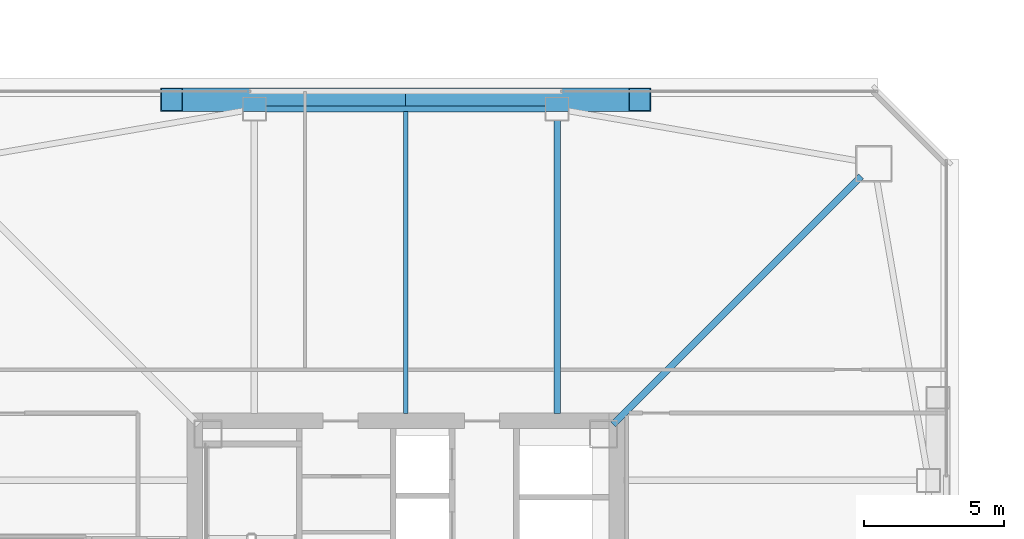
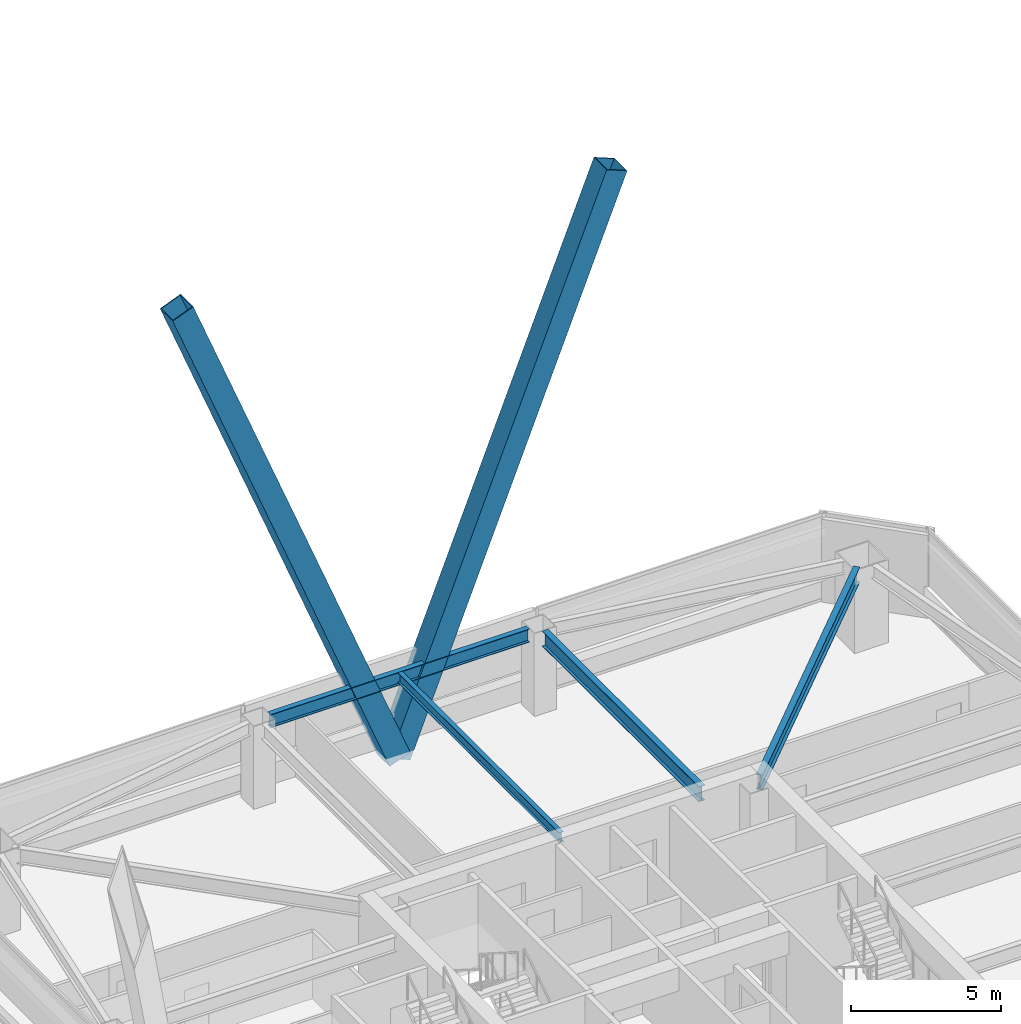
# One storey, part 16 of 50: 4 beams, 2 members.
"""IFC4 building model written with IfcOpenShell, lengths in metres."""

from ifc_helpers import new_model, si_unit, direction, frame, origin, origin_2d, place, context, subcontext, project, spatial, hollow_rectangle, i_section, extrude, material, material_profile, profile_set, type_object, element, save


model = new_model("IFC4")

# Units and contexts
model_context = context("Model", 3, precision=1e-05, world=origin(), true_north=direction((0.0, 1.0)))
body_context = subcontext(model_context, "Body", "Model", "MODEL_VIEW")
ifc_project = project(units=[si_unit("LENGTHUNIT", "METRE"), si_unit("AREAUNIT", "SQUARE_METRE"), si_unit("VOLUMEUNIT", "CUBIC_METRE"), si_unit("PLANEANGLEUNIT", "RADIAN"), si_unit("MASSUNIT", "GRAM", prefix="KILO")], contexts=[model_context])

# Site, building, storey
site_placement = place(None, origin())
site = spatial("IfcSite", under=ifc_project, at=site_placement, CompositionType="ELEMENT")
building_placement = place(site_placement, origin())
building = spatial("IfcBuilding", under=site, at=building_placement, Name="Tashvorn Skyway Center", CompositionType="ELEMENT")
storey_placement = place(building_placement, frame((0.0, 0.0, 114.39990234375)))
storey = spatial("IfcBuildingStorey", under=building, at=storey_placement, Name="L30", CompositionType="ELEMENT", Elevation=114.39990234375)

# Beams
ifc_material_1 = material(Name="Steel ASTM A992 Grade 50", Category="steel")
ifc_material_profile_1 = material_profile(ifc_material_1, i_section(OverallWidth=0.22998046875, OverallDepth=0.616943359375, WebThickness=0.01318359375, FlangeThickness=0.022216796875, at=origin_2d()), Name="W24X94")
ifc_profile_set_1 = profile_set([ifc_material_profile_1], Name="Steel ASTM A992 Grade 50")
beam_type_1 = type_object("IfcBeamType", Name="BM-BEAM-W24X94", PredefinedType="BEAM", material=ifc_profile_set_1)
beam_1_placement = place(storey_placement, frame((58.243896484375, 48.243896484375, 3.0615234375), z_axis=(-0.707106781187, -0.707106781187, 0.0), x_axis=(0.707106781187, -0.707106781187, 0.0)))
element("IfcBeam", 1, at=beam_1_placement, inside=storey, type_object=beam_type_1, Name="Tower 1 L30 Primary Floor Girder MC-NE", PredefinedType="BEAM", context=body_context, shape_type="SweptSolid", body=[
    extrude(i_section(OverallWidth=0.22998046875, OverallDepth=0.616943359375, WebThickness=0.01318359375, FlangeThickness=0.022216796875, at=origin_2d()), origin(), (0.0, 0.0, 1.0), 12.50732421875),
])
beam_2_placement = place(storey_placement, frame((47.39990234375, 50.22998046875, 3.0615234375), z_axis=(0.0, -1.0, 0.0), x_axis=(1.0, 0.0, 0.0)))
element("IfcBeam", 2, at=beam_2_placement, inside=storey, type_object=beam_type_1, Name="Tower 1 L30 Primary Floor Girder FC-N1", PredefinedType="BEAM", context=body_context, shape_type="SweptSolid", body=[
    extrude(i_section(OverallWidth=0.22998046875, OverallDepth=0.616943359375, WebThickness=0.01318359375, FlangeThickness=0.022216796875, at=origin_2d()), origin(), (0.0, 0.0, 1.0), 10.449951171875),
])
ifc_material_profile_2 = material_profile(ifc_material_1, i_section(OverallWidth=0.177978515625, OverallDepth=0.406005859375, WebThickness=0.0078125, FlangeThickness=0.0126953125, at=origin_2d()), Name="W16X40")
ifc_profile_set_2 = profile_set([ifc_material_profile_2], Name="Steel ASTM A992 Grade 50")
beam_type_2 = type_object("IfcBeamType", Name="BM-JOIST-W16X40", PredefinedType="JOIST", material=ifc_profile_set_2)
beam_3_placement = place(storey_placement, frame((42.0, 39.7900390625, 3.1669921875), z_axis=(0.0, 1.0, 0.0), x_axis=(-1.0, 0.0, 0.0)))
element("IfcBeam", 3, at=beam_3_placement, inside=storey, type_object=beam_type_2, Name="Tower 1 L30 Secondary Composite Joist JN", PredefinedType="JOIST", context=body_context, shape_type="SweptSolid", body=[
    extrude(i_section(OverallWidth=0.177978515625, OverallDepth=0.406005859375, WebThickness=0.0078125, FlangeThickness=0.0126953125, at=origin_2d()), origin(), (0.0, 0.0, 1.0), 10.762451171875),
])
ifc_material_profile_3 = material_profile(ifc_material_1, i_section(OverallWidth=0.2109375, OverallDepth=0.5390625, WebThickness=0.01171875, FlangeThickness=0.018798828125, at=origin_2d()), Name="W21X73")
ifc_profile_set_3 = profile_set([ifc_material_profile_3], Name="Steel ASTM A992 Grade 50")
beam_type_3 = type_object("IfcBeamType", Name="BM-SPANDREL-W21X73", PredefinedType="SPANDREL", material=ifc_profile_set_3)
beam_4_placement = place(storey_placement, frame((46.97998046875, 50.64990234375, 3.1005859375), z_axis=(-1.0, 0.0, 0.0), x_axis=(0.0, -1.0, 0.0)))
element("IfcBeam", 4, at=beam_4_placement, inside=storey, type_object=beam_type_3, Name="Tower 1 L30 Spandrel Beam 08", PredefinedType="SPANDREL", context=body_context, shape_type="SweptSolid", body=[
    extrude(i_section(OverallWidth=0.2109375, OverallDepth=0.5390625, WebThickness=0.01171875, FlangeThickness=0.018798828125, at=origin_2d()), origin(), (0.0, 0.0, 1.0), 9.9599609375),
])

# Members
ifc_material_2 = material(Name="Steel ASTM A572 Grade 50", Category="steel")
ifc_material_profile_4 = material_profile(ifc_material_2, hollow_rectangle(XDim=0.85009765625, YDim=0.85009765625, WallThickness=0.034912109375, at=origin_2d()), Name="BOX850x850x35")
ifc_profile_set_4 = profile_set([ifc_material_profile_4], Name="Steel ASTM A572 Grade 50")
member_type = type_object("IfcMemberType", Name="MEM-MB-850", PredefinedType="BRACE", material=ifc_profile_set_4)
for number, where, z_axis, x_axis, name in (
    (5, (42.0, 50.97998046875, -0.199951171875), (0.368727390038, 0.0, 0.929537579571), (0.0, 1.0, 0.0), "Tower 1 Zone 3 N Chevron Mega-Brace L1"),
    (6, (42.0, 50.97998046875, -0.199951171875), (-0.368727390038, 0.0, 0.929537579571), (0.0, -1.0, 0.0), "Tower 1 Zone 3 N Chevron Mega-Brace R1"),
):
    element("IfcMember", number, at=place(storey_placement, frame(where, z_axis=z_axis, x_axis=x_axis)), inside=storey, type_object=member_type, Name=name, PredefinedType="BRACE", context=body_context, shape_type="SweptSolid", body=[
        extrude(hollow_rectangle(XDim=0.85009765625, YDim=0.85009765625, WallThickness=0.034912109375, at=origin_2d()), origin(), (0.0, 0.0, 1.0), 22.645751953125),
    ])

save(model, "model.ifc")
